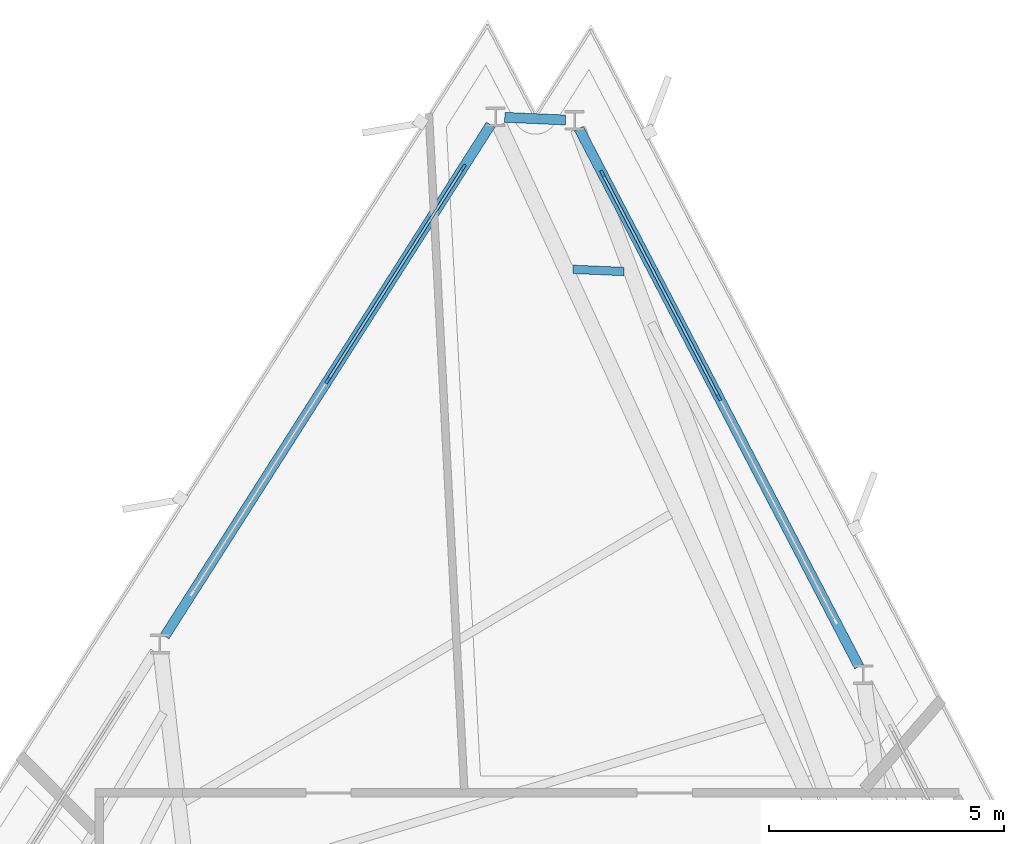
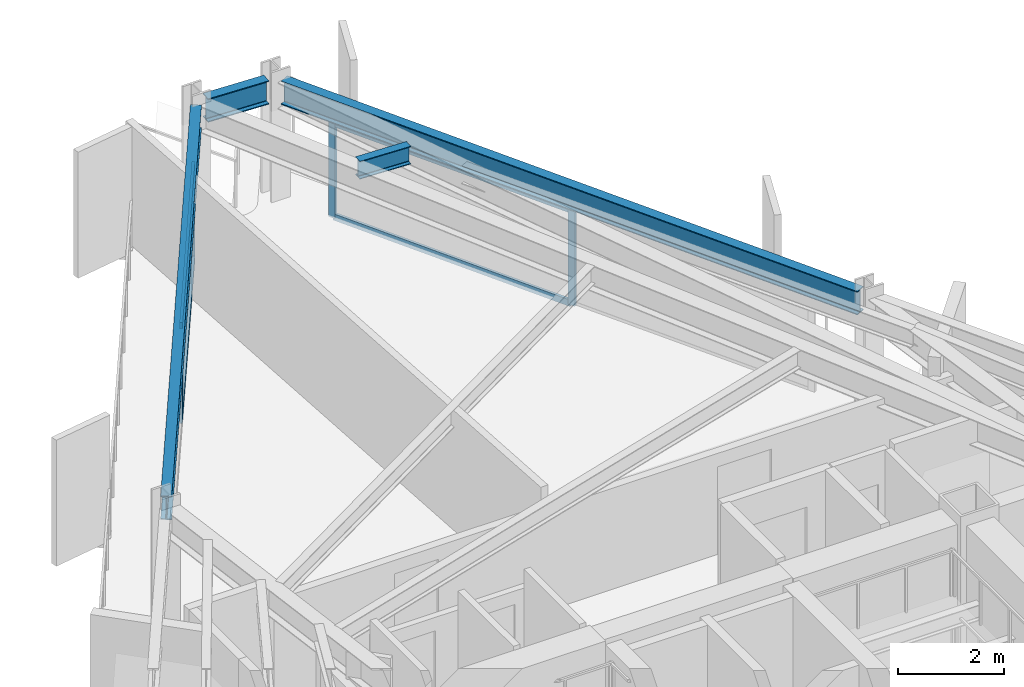
# One storey, part 6 of 12: 8 members, 4 beams, 2 elements without a shape of their own.
"""IFC4 building model written with IfcOpenShell, lengths in metres."""

from ifc_helpers import new_model, si_unit, direction, frame, origin, origin_2d, place, context, subcontext, project, spatial, rectangle, i_section, extrude, material, layer, layer_set, material_profile, profile_set, type_object, element, aggregate, save


model = new_model("IFC4")

# Units and contexts
model_context = context("Model", 3, precision=1e-05, world=origin(), true_north=direction((0.0, 1.0)))
body_context = subcontext(model_context, "Body", "Model", "MODEL_VIEW")
ifc_project = project(units=[si_unit("LENGTHUNIT", "METRE"), si_unit("AREAUNIT", "SQUARE_METRE"), si_unit("VOLUMEUNIT", "CUBIC_METRE"), si_unit("PLANEANGLEUNIT", "RADIAN"), si_unit("MASSUNIT", "GRAM", prefix="KILO")], contexts=[model_context])

# Site, building, storey
site_placement = place(None, origin())
site = spatial("IfcSite", under=ifc_project, at=site_placement, CompositionType="ELEMENT")
building_placement = place(site_placement, origin())
building = spatial("IfcBuilding", under=site, at=building_placement, Name="Rocaltana Carrier Exchange", CompositionType="ELEMENT")
storey_placement = place(building_placement, frame((0.0, 0.0, 132.0)))
storey = spatial("IfcBuildingStorey", under=building, at=storey_placement, Name="L41", CompositionType="ELEMENT", Elevation=132.0)

# Curtain wall, members
ifc_material_1 = material(Name="Aluminium 6063-T6", Category="aluminium")
ifc_layer = layer(ifc_material_1, 0.14990234375)
ifc_layer_set = layer_set([ifc_layer], Name="Aluminium 6063-T6")
curtain_wall_type = type_object("IfcCurtainWallType", Name="Mid-Tower Unitised Curtain Wall CW-03", PredefinedType="NOTDEFINED", material=ifc_layer_set)
curtain_wall_1_placement = place(storey_placement, origin())
curtain_wall_1 = element("IfcCurtainWall", 1, at=curtain_wall_1_placement, inside=storey, type_object=curtain_wall_type, Name="L41 CW-03 Run CW-L41-F1S3", PredefinedType="NOTDEFINED")
ifc_material_2 = material(Name="Aluminium 6063-T6", Category="aluminium")
ifc_material_profile_1 = material_profile(ifc_material_2, rectangle(XDim=0.06005859375, YDim=0.14990234375, at=origin_2d()), Name="AL-60X150")
ifc_profile_set_1 = profile_set([ifc_material_profile_1], Name="Aluminium 6063-T6")
member_type_1 = type_object("IfcMemberType", Name="CW-03 Mullion AL-60X150", PredefinedType="MULLION", material=ifc_profile_set_1)
member_1_placement = place(storey_placement, frame((4.938232421875, 17.56494140625, 0.0), z_axis=(0.0, 0.0, 1.0), x_axis=(-0.887007955385, -0.461754141383, 0.0)))
member_1 = element("IfcMember", 2, at=member_1_placement, type_object=member_type_1, Name="CW-03 mullion 2", PredefinedType="MULLION", context=body_context, shape_type="SweptSolid", body=[
    extrude(rectangle(XDim=0.06005859375, YDim=0.14990234375, at=origin_2d()), origin(), (0.0, 0.0, 1.0), 2.218017578125),
])
member_2_placement = place(storey_placement, frame((2.458740234375, 22.328125, 0.0), z_axis=(0.0, 0.0, 1.0), x_axis=(-0.887007955385, -0.461754141383, 0.0)))
member_2 = element("IfcMember", 3, at=member_2_placement, type_object=member_type_1, Name="CW-03 mullion 3", PredefinedType="MULLION", context=body_context, shape_type="SweptSolid", body=[
    extrude(rectangle(XDim=0.06005859375, YDim=0.14990234375, at=origin_2d()), origin(), (0.0, 0.0, 1.0), 2.218017578125),
])

curtain_wall_2_placement = place(storey_placement, origin())
curtain_wall_2 = element("IfcCurtainWall", 4, at=curtain_wall_2_placement, inside=storey, type_object=curtain_wall_type, Name="L41 CW-03 Run CW-L41-F2S1", PredefinedType="NOTDEFINED")
member_3_placement = place(storey_placement, frame((-0.50341796875, 22.45751953125, 0.0), z_axis=(0.0, 0.0, 1.0), x_axis=(0.843390685726, -0.537300801443, 0.0)))
member_3 = element("IfcMember", 5, at=member_3_placement, type_object=member_type_1, Name="CW-03 mullion 1", PredefinedType="MULLION", context=body_context, shape_type="SweptSolid", body=[
    extrude(rectangle(XDim=0.06005859375, YDim=0.14990234375, at=origin_2d()), origin(), (0.0, 0.0, 1.0), 2.218017578125),
])
member_4_placement = place(storey_placement, frame((-3.388671875, 17.928466796875, 0.0), z_axis=(0.0, 0.0, 1.0), x_axis=(0.843390685726, -0.537300801443, 0.0)))
member_4 = element("IfcMember", 6, at=member_4_placement, type_object=member_type_1, Name="CW-03 mullion 2", PredefinedType="MULLION", context=body_context, shape_type="SweptSolid", body=[
    extrude(rectangle(XDim=0.06005859375, YDim=0.14990234375, at=origin_2d()), origin(), (0.0, 0.0, 1.0), 2.218017578125),
])

# Member
ifc_material_3 = material(Name="Aluminium 6063-T6", Category="aluminium")
ifc_material_profile_2 = material_profile(ifc_material_3, rectangle(XDim=0.06005859375, YDim=0.14990234375, at=origin_2d()), Name="AL-60X150")
ifc_profile_set_2 = profile_set([ifc_material_profile_2], Name="Aluminium 6063-T6")
member_type_2 = type_object("IfcMemberType", Name="CW-03 Transom AL-60X150", PredefinedType="USERDEFINED", material=ifc_profile_set_2)
member_5_placement = place(storey_placement, frame((4.924560546875, 17.591552734375, 0.030029296875), z_axis=(-0.461756588365, 0.887006681543, 0.0), x_axis=(-0.887006681543, -0.461756588365, 0.0)))
member_5 = element("IfcMember", 7, at=member_5_placement, type_object=member_type_2, Name="CW-03 transom 2.1", ObjectType="TRANSOM", PredefinedType="USERDEFINED", context=body_context, shape_type="SweptSolid", body=[
    extrude(rectangle(XDim=0.06005859375, YDim=0.14990234375, at=origin_2d()), origin(), (0.0, 0.0, 1.0), 5.31005859375),
])

member_6_placement = place(storey_placement, frame((4.924560546875, 17.591552734375, 2.18798828125), z_axis=(-0.461756588365, 0.887006681543, 0.0), x_axis=(-0.887006681543, -0.461756588365, 0.0)))
member_6 = element("IfcMember", 8, at=member_6_placement, type_object=member_type_2, Name="CW-03 transom 2.2", ObjectType="TRANSOM", PredefinedType="USERDEFINED", context=body_context, shape_type="SweptSolid", body=[
    extrude(rectangle(XDim=0.06005859375, YDim=0.14990234375, at=origin_2d()), origin(), (0.0, 0.0, 1.0), 5.31005859375),
])

aggregate(curtain_wall_1, [member_1, member_2, member_5, member_6])

member_7_placement = place(storey_placement, frame((-0.51953125, 22.43212890625, 0.030029296875), z_axis=(-0.537306810176, -0.843386857698, 0.0), x_axis=(0.843386857698, -0.537306810176, 0.0)))
member_7 = element("IfcMember", 9, at=member_7_placement, type_object=member_type_2, Name="CW-03 transom 1.1", ObjectType="TRANSOM", PredefinedType="USERDEFINED", context=body_context, shape_type="SweptSolid", body=[
    extrude(rectangle(XDim=0.06005859375, YDim=0.14990234375, at=origin_2d()), origin(), (0.0, 0.0, 1.0), 5.309814453125),
])

member_8_placement = place(storey_placement, frame((-0.51953125, 22.43212890625, 2.18798828125), z_axis=(-0.537306810176, -0.843386857698, 0.0), x_axis=(0.843386857698, -0.537306810176, 0.0)))
member_8 = element("IfcMember", 10, at=member_8_placement, type_object=member_type_2, Name="CW-03 transom 1.2", ObjectType="TRANSOM", PredefinedType="USERDEFINED", context=body_context, shape_type="SweptSolid", body=[
    extrude(rectangle(XDim=0.06005859375, YDim=0.14990234375, at=origin_2d()), origin(), (0.0, 0.0, 1.0), 5.309814453125),
])

aggregate(curtain_wall_2, [member_3, member_4, member_7, member_8])

# Beams
ifc_material_4 = material(Name="Steel S355", Category="steel")
ifc_material_profile_3 = material_profile(ifc_material_4, i_section(OverallWidth=0.179931640625, OverallDepth=0.4130859375, WebThickness=0.009765625, FlangeThickness=0.01611328125, FilletRadius=0.012939453125, at=origin_2d()), Name="W16X50")
ifc_profile_set_3 = profile_set([ifc_material_profile_3], Name="Steel S355")
beam_type_1 = type_object("IfcBeamType", Name="Floor Joist W16X50", PredefinedType="JOIST", material=ifc_profile_set_3)
beam_1_placement = place(storey_placement, frame((2.915771484375, 20.24658203125, 2.58154296875), z_axis=(-0.999049362551, 0.043593247039, 0.0), x_axis=(-0.043593247039, -0.999049362551, 0.0)))
element("IfcBeam", 11, at=beam_1_placement, inside=storey, type_object=beam_type_1, Name="FJ-L41-04-3", PredefinedType="JOIST", context=body_context, shape_type="SweptSolid", body=[
    extrude(i_section(OverallWidth=0.179931640625, OverallDepth=0.4130859375, WebThickness=0.009765625, FlangeThickness=0.01611328125, FilletRadius=0.012939453125, at=origin_2d()), origin(), (0.0, 0.0, 1.0), 1.08642578125),
])
ifc_material_5 = material(Name="Steel S355", Category="steel")
ifc_material_profile_4 = material_profile(ifc_material_5, i_section(OverallWidth=0.2119140625, OverallDepth=0.5439453125, WebThickness=0.01318359375, FlangeThickness=0.021240234375, FilletRadius=0.014892578125, at=origin_2d()), Name="W21X83")
ifc_profile_set_4 = profile_set([ifc_material_profile_4], Name="Steel S355")
beam_type_2 = type_object("IfcBeamType", Name="Spandrel Edge Beam W21X83", PredefinedType="SPANDREL", material=ifc_profile_set_4)
beam_2_placement = place(storey_placement, frame((7.9189453125, 11.83935546875, 2.51611328125), z_axis=(-0.461753420073, 0.88700833088, 0.0), x_axis=(-0.88700833088, -0.461753420073, 0.0)))
element("IfcBeam", 12, at=beam_2_placement, inside=storey, type_object=beam_type_2, Name="SP-L41-03", PredefinedType="SPANDREL", context=body_context, shape_type="SweptSolid", body=[
    extrude(i_section(OverallWidth=0.2119140625, OverallDepth=0.5439453125, WebThickness=0.01318359375, FlangeThickness=0.021240234375, FilletRadius=0.014892578125, at=origin_2d()), origin(), (0.0, 0.0, 1.0), 12.909912109375),
])
beam_3_placement = place(storey_placement, frame((1.6728515625, 23.471923828125, 2.51611328125), z_axis=(-0.999042950667, 0.043739944245, 0.0), x_axis=(-0.043739944245, -0.999042950667, 0.0)))
element("IfcBeam", 13, at=beam_3_placement, inside=storey, type_object=beam_type_2, Name="SP-L41-04", PredefinedType="SPANDREL", context=body_context, shape_type="SweptSolid", body=[
    extrude(i_section(OverallWidth=0.2119140625, OverallDepth=0.5439453125, WebThickness=0.01318359375, FlangeThickness=0.021240234375, FilletRadius=0.014892578125, at=origin_2d()), origin(), (0.0, 0.0, 1.0), 1.294921875),
])
beam_4_placement = place(storey_placement, frame((0.07958984375, 23.37255859375, 2.51611328125), z_axis=(-0.537298808094, -0.84339195563, 0.0), x_axis=(0.84339195563, -0.537298808094, 0.0)))
element("IfcBeam", 14, at=beam_4_placement, inside=storey, type_object=beam_type_2, Name="SP-L41-05", PredefinedType="SPANDREL", context=body_context, shape_type="SweptSolid", body=[
    extrude(i_section(OverallWidth=0.2119140625, OverallDepth=0.5439453125, WebThickness=0.01318359375, FlangeThickness=0.021240234375, FilletRadius=0.014892578125, at=origin_2d()), origin(), (0.0, 0.0, 1.0), 12.909912109375),
])

save(model, "model.ifc")
